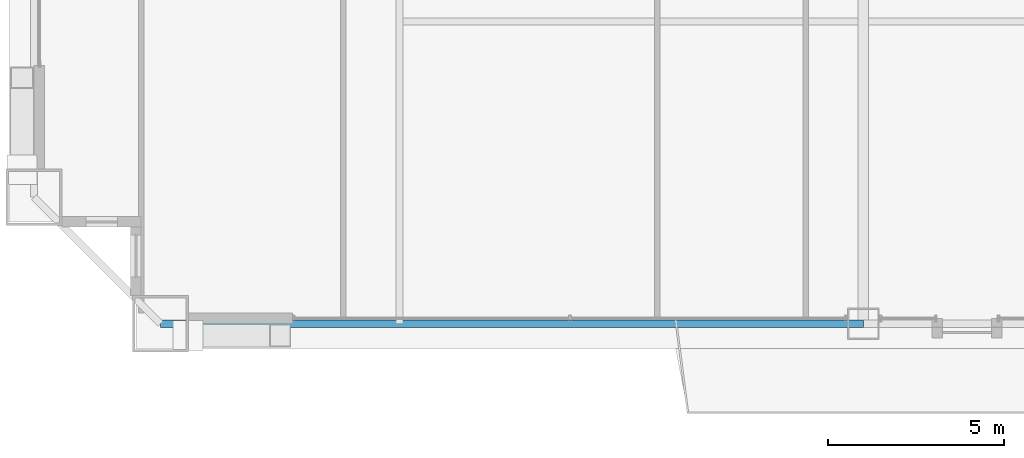
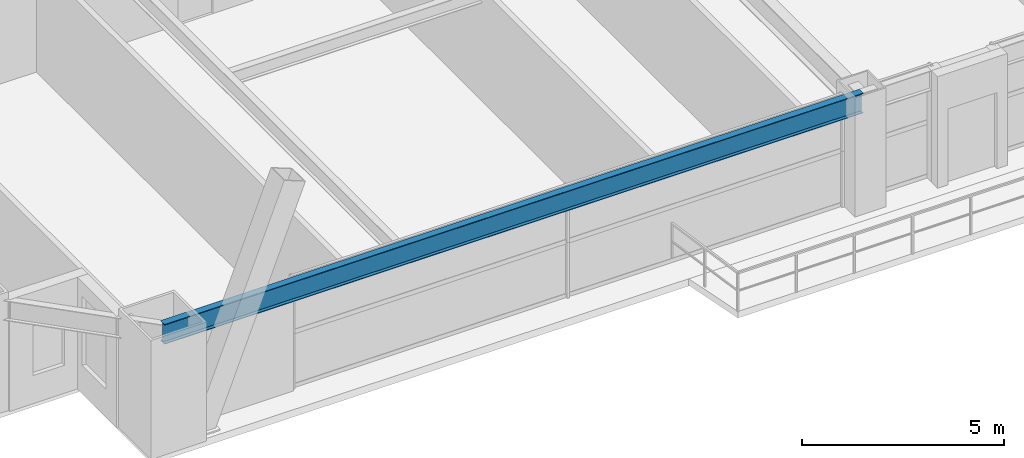
# One storey, part 5 of 41: 1 beam.
"""IFC4 building model written with IfcOpenShell, lengths in metres."""

import ifcopenshell
import ifcopenshell.guid

model = None  # the IFC model being written
_history = None  # IfcOwnerHistory: only IFC2X3 demands one
_inside = {}  # id of a spatial element -> (the spatial element, [elements in it])
_under = {}  # id of a project, library or spatial element -> (it, [spatial elements below it])
_declared = {}  # id of a project -> (the project, [libraries it declares])
_typed = {}  # id of a type object -> (the type object, [elements of that type])
_made_of = {}  # id of a material, layer set ... -> (it, [elements and type objects made of it])


def new_model(schema):
    """Start an empty IFC model of exactly this schema.

    Asked for "IFC4X3", IfcOpenShell would pick the latest addendum, in which some entities
    have other attributes; the version numbers below select the first issue.
    IFC2X3 requires an IfcOwnerHistory on every rooted entity: one is made here for all.
    """
    global model, _history
    if schema == "IFC4X3":
        model = ifcopenshell.file(schema_version=(4, 3, 0, 0))
    else:
        model = ifcopenshell.file(schema=schema)
    _inside.clear()
    _under.clear()
    _declared.clear()
    _typed.clear()
    _made_of.clear()
    _history = None
    if model.schema == "IFC2X3":
        org = make("IfcOrganization", Name="unknown")
        user = make(
            "IfcPersonAndOrganization",
            ThePerson=make("IfcPerson", FamilyName="unknown"),
            TheOrganization=org,
        )
        app = make(
            "IfcApplication",
            ApplicationDeveloper=org,
            Version="unknown",
            ApplicationFullName="unknown",
            ApplicationIdentifier="unknown",
        )
        _history = make(
            "IfcOwnerHistory",
            OwningUser=user,
            OwningApplication=app,
            ChangeAction="ADDED",
            CreationDate=0,
        )
    return model


def make(cls, **values):
    """One entity of the class cls with the attributes given. An attribute that is None is left unset."""
    return model.create_entity(
        cls, **{name: value for name, value in values.items() if value is not None}
    )


def rooted(cls, **values):
    """An entity with a GlobalId (a new one), such as an element, a storey or a relation."""
    return make(cls, GlobalId=ifcopenshell.guid.new(), OwnerHistory=_history, **values)


def si_unit(unit_type, name, prefix=None):
    """IfcSIUnit, for example si_unit("LENGTHUNIT", "METRE", prefix="MILLI")."""
    return make("IfcSIUnit", UnitType=unit_type, Prefix=prefix, Name=name)


def assignment(units):
    """IfcUnitAssignment: the units of a project."""
    return None if units is None else make("IfcUnitAssignment", Units=units)


def point(xyz):
    """IfcCartesianPoint."""
    return None if xyz is None else make("IfcCartesianPoint", Coordinates=xyz)


def direction(xyz):
    """IfcDirection."""
    return None if xyz is None else make("IfcDirection", DirectionRatios=xyz)


def frame(location, z_axis=None, x_axis=None):
    """IfcAxis2Placement3D, a coordinate frame: its origin and axes. An axis left out is left unset."""
    return make(
        "IfcAxis2Placement3D",
        Location=point(location),
        Axis=direction(z_axis),
        RefDirection=direction(x_axis),
    )


def frame_2d(location, x_axis=None):
    """IfcAxis2Placement2D, a coordinate frame in the plane: its origin and x axis."""
    return make(
        "IfcAxis2Placement2D", Location=point(location), RefDirection=direction(x_axis)
    )


def origin():
    """The frame at (0, 0, 0) with its axes left unset."""
    return frame((0.0, 0.0, 0.0))


def origin_2d():
    """The frame at (0, 0) in the plane with its x axis left unset."""
    return frame_2d((0.0, 0.0))


def place(relative_to, where):
    """IfcLocalPlacement: puts the frame where relative to a parent placement (None: the world)."""
    return make(
        "IfcLocalPlacement", PlacementRelTo=relative_to, RelativePlacement=where
    )


def context(
    kind, dimensions, precision=None, world=None, true_north=None, identifier=None
):
    """IfcGeometricRepresentationContext, for example the 3D "Model" context."""
    return make(
        "IfcGeometricRepresentationContext",
        ContextIdentifier=identifier,
        ContextType=kind,
        CoordinateSpaceDimension=dimensions,
        Precision=precision,
        WorldCoordinateSystem=world,
        TrueNorth=true_north,
    )


def subcontext(parent, identifier, kind, view, scale=None):
    """IfcGeometricRepresentationSubContext, for example "Body" below "Model"."""
    return make(
        "IfcGeometricRepresentationSubContext",
        ContextIdentifier=identifier,
        ContextType=kind,
        ParentContext=parent,
        TargetScale=scale,
        TargetView=view,
    )


def project(units=None, contexts=None):
    """IfcProject with its units and contexts."""
    return rooted(
        "IfcProject",
        Name="project",
        RepresentationContexts=contexts,
        UnitsInContext=assignment(units),
    )


def spatial(cls, under=None, at=None, **own):
    """A site, building, storey or space (cls), placed at a placement, below another one or the project."""
    s = rooted(cls, ObjectPlacement=at, **own)
    if under is not None:
        _under.setdefault(under.id(), (under, []))[1].append(s)
    return s


def profile(cls, at=None, kind="AREA", **sizes):
    """A parametric profile (cls). Its sizes go by their IFC names, for example OverallWidth=200.0."""
    return make(cls, ProfileType=kind, Position=at, **sizes)


def i_section(**sizes):
    """IfcIShapeProfileDef."""
    return profile("IfcIShapeProfileDef", **sizes)


def extrude(swept, where, along, depth):
    """IfcExtrudedAreaSolid: the profile swept, set in the frame where, extruded along a direction by depth."""
    return make(
        "IfcExtrudedAreaSolid",
        SweptArea=swept,
        Position=where,
        ExtrudedDirection=direction(along),
        Depth=depth,
    )


def shape(context_of_items, identifier, shape_type, items):
    """IfcShapeRepresentation: the items that make up one representation, for example the "Body"."""
    return make(
        "IfcShapeRepresentation",
        ContextOfItems=context_of_items,
        RepresentationIdentifier=identifier,
        RepresentationType=shape_type,
        Items=items,
    )


def source(mapping_origin, context_of_items, identifier, shape_type, items):
    """IfcRepresentationMap: a shape defined once, which mapped items show again and again."""
    return make(
        "IfcRepresentationMap",
        MappingOrigin=mapping_origin,
        MappedRepresentation=shape(context_of_items, identifier, shape_type, items),
    )


def transform(
    local_origin,
    x_axis=None,
    y_axis=None,
    z_axis=None,
    scale=None,
    scale2=None,
    scale3=None,
    uniform=True,
):
    """IfcCartesianTransformationOperator3D, or its non-uniform kind. x_axis, y_axis, z_axis: its Axis1, 2, 3."""
    if uniform:
        return make(
            "IfcCartesianTransformationOperator3D",
            Axis1=direction(x_axis),
            Axis2=direction(y_axis),
            LocalOrigin=point(local_origin),
            Scale=scale,
            Axis3=direction(z_axis),
        )
    return make(
        "IfcCartesianTransformationOperator3DnonUniform",
        Axis1=direction(x_axis),
        Axis2=direction(y_axis),
        LocalOrigin=point(local_origin),
        Scale=scale,
        Axis3=direction(z_axis),
        Scale2=scale2,
        Scale3=scale3,
    )


def mapped(mapping_source, mapping_target):
    """IfcMappedItem: shows the shape of a source again, moved by a transform."""
    return make(
        "IfcMappedItem", MappingSource=mapping_source, MappingTarget=mapping_target
    )


def material(Name=None, Category=None):
    """IfcMaterial."""
    return make("IfcMaterial", Name=Name, Category=Category)


def material_profile(
    of_material, cross_section, Name=None, Category=None, Priority=None
):
    """IfcMaterialProfile: a cross section and its material."""
    return make(
        "IfcMaterialProfile",
        Name=Name,
        Material=of_material,
        Profile=cross_section,
        Priority=Priority,
        Category=Category,
    )


def profile_set(profiles, Name=None, composite=None):
    """IfcMaterialProfileSet."""
    return make(
        "IfcMaterialProfileSet",
        Name=Name,
        MaterialProfiles=profiles,
        CompositeProfile=composite,
    )


def made_of(thing, what):
    """Note that an element or type object is made of a material, layer set ...; save() writes the relation."""
    if what is not None:
        _made_of.setdefault(what.id(), (what, []))[1].append(thing)
    return thing


def type_object(cls, material=None, **own):
    """A type object (cls), such as IfcWallType, which elements share."""
    return made_of(rooted(cls, **own), material)


def element(
    cls,
    number,
    at=None,
    inside=None,
    cuts=None,
    type_object=None,
    material=None,
    context=None,
    identifier="Body",
    shape_type=None,
    held_by="IfcProductDefinitionShape",
    body=None,
    shapes=None,
    **own,
):
    """One element of the class cls, such as IfcWall. Its Tag is "e" and its number.

    at: its placement. inside: the storey or other place that contains it. cuts: it is an
    opening in that element (IfcRelVoidsElement). A single representation is given by context,
    identifier, shape_type and body (its items); several are given by shapes. held_by: the class
    of the entity that holds the representations. save() writes the other relations.
    """
    e = rooted(cls, Tag="e%d" % number, ObjectPlacement=at, **own)
    if body is not None:
        shapes = [shape(context, identifier, shape_type, body)]
    if shapes is not None:
        e.Representation = make(held_by, Representations=shapes)
    if inside is not None:
        _inside.setdefault(inside.id(), (inside, []))[1].append(e)
    if cuts is not None:
        rooted(
            "IfcRelVoidsElement", RelatingBuildingElement=cuts, RelatedOpeningElement=e
        )
    if type_object is not None:
        _typed.setdefault(type_object.id(), (type_object, []))[1].append(e)
    return made_of(e, material)


def aggregate(whole, parts):
    """IfcRelAggregates: a whole, such as a stair, and the parts it consists of."""
    return rooted("IfcRelAggregates", RelatingObject=whole, RelatedObjects=parts)


def save(model, path):
    """Write the relations noted so far, then the file.

    IfcRelAggregates (storeys below a building ...), IfcRelContainedInSpatialStructure (elements
    in a storey), IfcRelDefinesByType, IfcRelAssociatesMaterial and IfcRelDeclares: one each for
    every whole, place, type object, material and project.
    """
    for whole, parts in _under.values():
        aggregate(whole, parts)
    for where, things in _inside.values():
        rooted(
            "IfcRelContainedInSpatialStructure",
            RelatedElements=things,
            RelatingStructure=where,
        )
    for kind, things in _typed.values():
        rooted("IfcRelDefinesByType", RelatedObjects=things, RelatingType=kind)
    for what, things in _made_of.values():
        rooted("IfcRelAssociatesMaterial", RelatedObjects=things, RelatingMaterial=what)
    for by, libraries in _declared.values():
        rooted("IfcRelDeclares", RelatingContext=by, RelatedDefinitions=libraries)
    model.write(path)


model = new_model("IFC4")

# Units and contexts
model_context = context("Model", 3, precision=1e-05, world=origin(), true_north=direction((0.0, 1.0)))
body_context = subcontext(model_context, "Body", "Model", "MODEL_VIEW")
ifc_project = project(units=[si_unit("LENGTHUNIT", "METRE"), si_unit("AREAUNIT", "SQUARE_METRE"), si_unit("VOLUMEUNIT", "CUBIC_METRE"), si_unit("PLANEANGLEUNIT", "RADIAN"), si_unit("MASSUNIT", "GRAM", prefix="KILO"), si_unit("THERMODYNAMICTEMPERATUREUNIT", "KELVIN"), si_unit("POWERUNIT", "WATT")], contexts=[model_context])

# Site, building, storey
site_placement = place(None, origin())
site = spatial("IfcSite", under=ifc_project, at=site_placement, CompositionType="ELEMENT")
building_placement = place(site_placement, origin())
building = spatial("IfcBuilding", under=site, at=building_placement, Name="Yuzanri Waterfront Tower", CompositionType="ELEMENT")
storey_placement = place(building_placement, frame((0.0, 0.0, 152.39990234375)))
storey = spatial("IfcBuildingStorey", under=building, at=storey_placement, Name="L40", CompositionType="ELEMENT", Elevation=152.39990234375)

# Beam
ifc_material = material(Name="Steel Q355B", Category="steel")
ifc_material_profile = material_profile(ifc_material, i_section(OverallWidth=0.199951171875, OverallDepth=0.60009765625, WebThickness=0.010986328125, FlangeThickness=0.01708984375, at=origin_2d()), Name="HN 600x200x11x17")
ifc_profile_set = profile_set([ifc_material_profile], Name="Steel Q355B")
beam_type = type_object("IfcBeamType", Name="Perimeter Spandrel Q355B HN 600x200", PredefinedType="SPANDREL", material=ifc_profile_set)
shared_shape = source(origin(), body_context, "Body", "SweptSolid", [
    extrude(i_section(OverallWidth=0.199951171875, OverallDepth=0.60009765625, WebThickness=0.010986328125, FlangeThickness=0.01708984375, at=origin_2d()), origin(), (0.0, 0.0, 1.0), 20.0),
])
beam_placement = place(storey_placement, frame((17.0, 2.199951171875, 3.080078125), z_axis=(1.0, 0.0, 0.0), x_axis=(0.0, 1.0, 0.0)))
element("IfcBeam", 1, at=beam_placement, inside=storey, type_object=beam_type, Name="L40 Perimeter Spandrel S1-S2", PredefinedType="SPANDREL", context=body_context, shape_type="MappedRepresentation", body=[
    mapped(shared_shape, transform((0.0, 0.0, 0.0), scale=1.0)),
])

save(model, "model.ifc")
